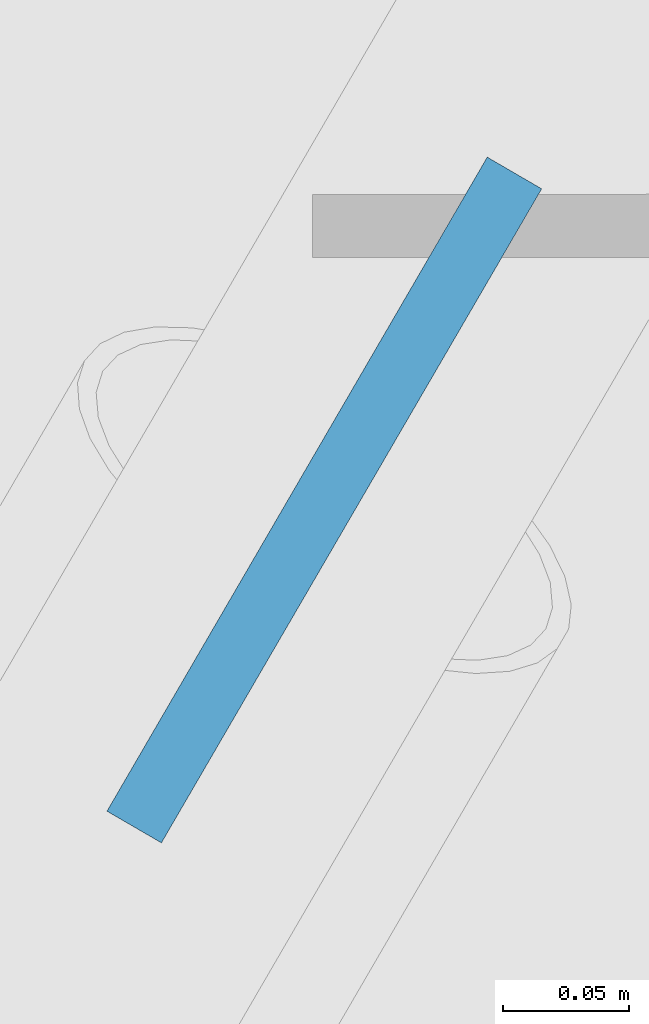
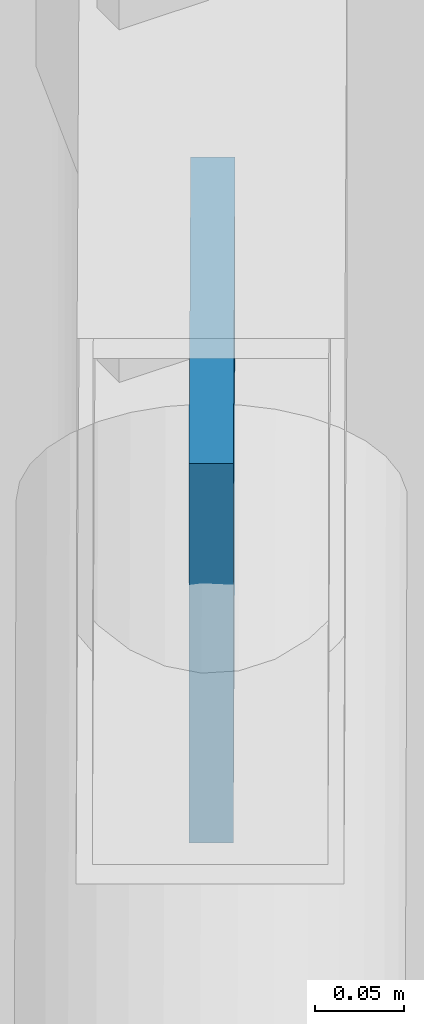
# One storey, part 36 of 58: 1 plate.
"""IFC4 building model written with IfcOpenShell, lengths in metres."""

from ifc_helpers import new_model, si_unit, direction, frame, origin, origin_2d, place, context, subcontext, project, spatial, rectangle, extrude, material, layer, layer_set, type_object, element, save


model = new_model("IFC4")

# Units and contexts
model_context = context("Model", 3, precision=1e-05, world=origin(), true_north=direction((0.0, 1.0)))
body_context = subcontext(model_context, "Body", "Model", "MODEL_VIEW")
ifc_project = project(units=[si_unit("LENGTHUNIT", "METRE"), si_unit("AREAUNIT", "SQUARE_METRE"), si_unit("VOLUMEUNIT", "CUBIC_METRE"), si_unit("PLANEANGLEUNIT", "RADIAN"), si_unit("MASSUNIT", "GRAM", prefix="KILO")], contexts=[model_context])

# Site, building, storey
site_placement = place(None, origin())
site = spatial("IfcSite", under=ifc_project, at=site_placement, CompositionType="ELEMENT")
building_placement = place(site_placement, origin())
building = spatial("IfcBuilding", under=site, at=building_placement, Name="Karori Crest Natural Sciences Institute", CompositionType="ELEMENT")
storey_placement = place(building_placement, frame((0.0, 0.0, -4.199951171875)))
storey = spatial("IfcBuildingStorey", under=building, at=storey_placement, Name="B1", CompositionType="ELEMENT", Elevation=-4.199951171875)

# Plate
ifc_material = material(Name="Structural steel AS/NZS 3679.1 Grade 350", Category="steel")
ifc_layer = layer(ifc_material, 0.02490234375, Name="Structural steel AS/NZS 3679.1 Grade 350")
ifc_layer_set = layer_set([ifc_layer], Name="Structural steel AS/NZS 3679.1 Grade 350")
plate_type = type_object("IfcPlateType", Name="PLT-06", PredefinedType="SHEET", material=ifc_layer_set)
plate_placement = place(storey_placement, frame((87.380126953125, 33.540771484375, 3.5205078125), z_axis=(0.0, 0.0, 1.0), x_axis=(0.502651840669, 0.86448893982, 0.0)))
element("IfcPlate", 1, at=plate_placement, inside=storey, type_object=plate_type, Name="Brace gusset plate EP-0008", PredefinedType="SHEET", context=body_context, shape_type="SweptSolid", body=[
    extrude(rectangle(XDim=0.299072265625, YDim=0.02490234375, at=origin_2d()), origin(), (0.0, 0.0, 1.0), 0.259033203125),
])

save(model, "model.ifc")
